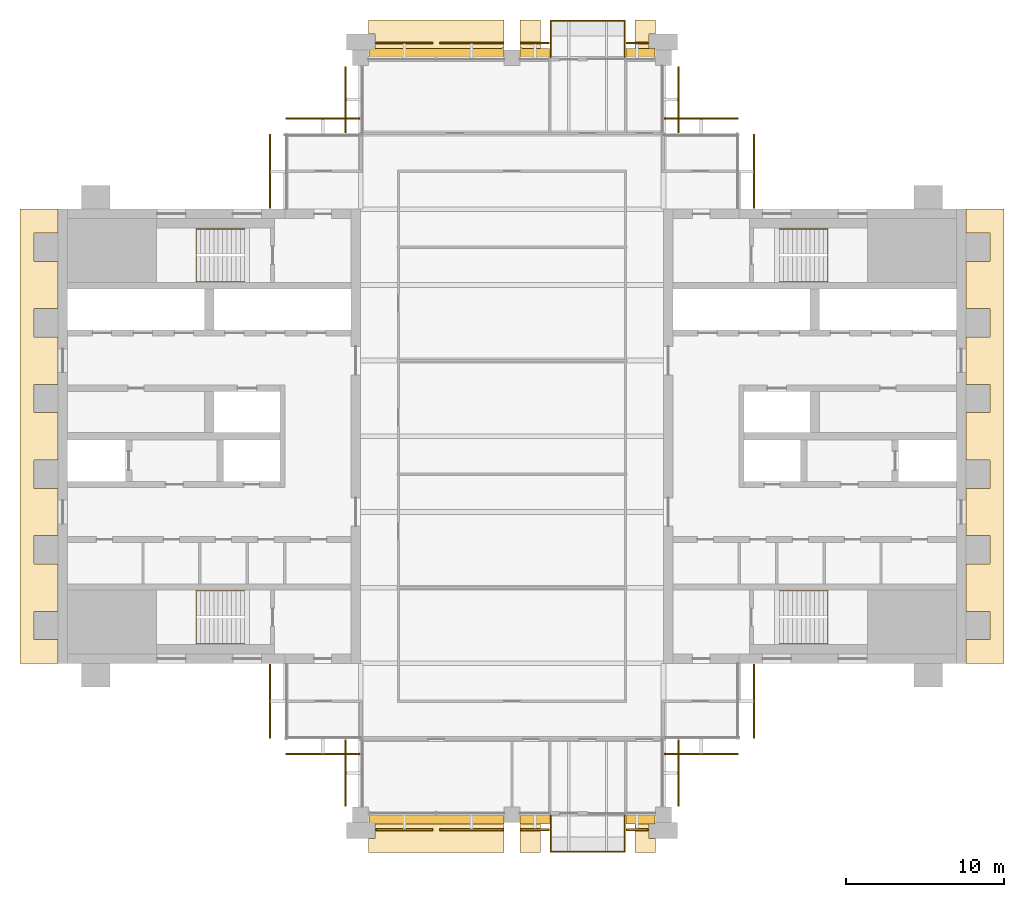
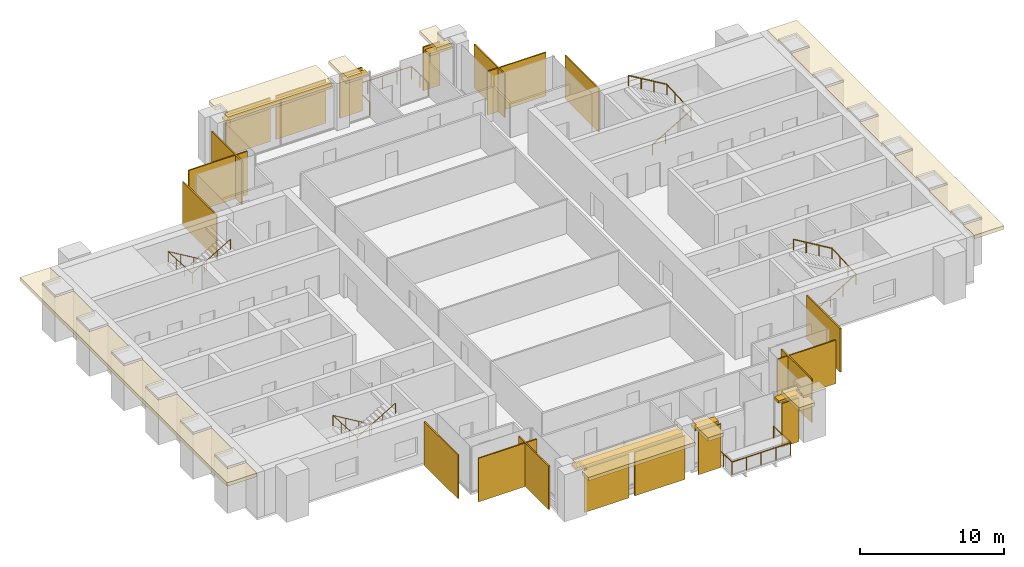
# One storey, part 13 of 13: 28 coverings, 6 railings, 6 shading devices.
"""IFC4 building model written with IfcOpenShell, lengths in metres."""

from ifc_helpers import new_model, si_unit, direction, frame, origin, origin_2d, place, context, subcontext, project, spatial, polyline, rectangle, circle, outline, extrude, material, layer, layer_set, type_object, element, save


model = new_model("IFC4")

# Units and contexts
model_context = context("Model", 3, precision=1e-05, world=origin(), true_north=direction((0.0, 1.0)))
body_context = subcontext(model_context, "Body", "Model", "MODEL_VIEW")
ifc_project = project(units=[si_unit("LENGTHUNIT", "METRE"), si_unit("AREAUNIT", "SQUARE_METRE"), si_unit("VOLUMEUNIT", "CUBIC_METRE"), si_unit("PLANEANGLEUNIT", "RADIAN"), si_unit("MASSUNIT", "GRAM", prefix="KILO")], contexts=[model_context])

# Site, building, storey
site_placement = place(None, origin())
site = spatial("IfcSite", under=ifc_project, at=site_placement, CompositionType="ELEMENT")
building_placement = place(site_placement, origin())
building = spatial("IfcBuilding", under=site, at=building_placement, Name="Baori Bourse Tower", CompositionType="ELEMENT")
storey_placement = place(building_placement, frame((0.0, 0.0, 326.300048828125)))
storey = spatial("IfcBuildingStorey", under=building, at=storey_placement, Name="L72", CompositionType="ELEMENT", Elevation=326.300048828125)

# Coverings
ifc_material_1 = material(Name="Pale anodised aluminium", Category="aluminium")
covering_type_1 = type_object("IfcCoveringType", Name="BD1 Pale metal band", PredefinedType="CLADDING", material=ifc_material_1)
covering_1_placement = place(storey_placement, frame((0.0, 0.0, 3.5400390625)))
element("IfcCovering", 1, at=covering_1_placement, inside=storey, type_object=covering_type_1, Name="Pale projecting band L72 1", PredefinedType="CLADDING", context=body_context, shape_type="SweptSolid", body=[
    extrude(outline(polyline([(57.60009765625, 11.10009765625), (57.60009765625, 9.60009765625), (60.0, 9.60009765625), (60.0, 38.39990234375), (57.60009765625, 38.39990234375), (57.60009765625, 36.89990234375), (59.10009765625, 36.89990234375), (59.10009765625, 35.10009765625), (57.60009765625, 35.10009765625), (57.60009765625, 32.10009765625), (59.10009765625, 32.10009765625), (59.10009765625, 30.300048828125), (57.60009765625, 30.300048828125), (57.60009765625, 27.300048828125), (59.10009765625, 27.300048828125), (59.10009765625, 25.5), (57.60009765625, 25.5), (57.60009765625, 22.5), (59.10009765625, 22.5), (59.10009765625, 20.699951171875), (57.60009765625, 20.699951171875), (57.60009765625, 17.699951171875), (59.10009765625, 17.699951171875), (59.10009765625, 15.89990234375), (57.60009765625, 15.89990234375), (57.60009765625, 12.89990234375), (59.10009765625, 12.89990234375), (59.10009765625, 11.10009765625), (57.60009765625, 11.10009765625)])), origin(), (0.0, 0.0, 1.0), 0.2998046875),
])
covering_2_placement = place(storey_placement, frame((0.0, 0.0, 3.5400390625)))
element("IfcCovering", 2, at=covering_2_placement, inside=storey, type_object=covering_type_1, Name="Pale projecting band L72 2", PredefinedType="CLADDING", context=body_context, shape_type="SweptSolid", body=[
    extrude(outline(polyline([(36.60009765625, 48.0), (37.780029296875, 48.0), (37.780029296875, 48.5), (37.5, 48.5), (37.5, 49.5), (37.89990234375, 49.5), (37.89990234375, 50.39990234375), (36.60009765625, 50.39990234375), (36.60009765625, 48.0)])), origin(), (0.0, 0.0, 1.0), 0.2998046875),
])
covering_3_placement = place(storey_placement, frame((0.0, 0.0, 3.5400390625)))
element("IfcCovering", 3, at=covering_3_placement, inside=storey, type_object=covering_type_1, Name="Pale projecting band L72 3", PredefinedType="CLADDING", context=body_context, shape_type="SweptSolid", body=[
    extrude(outline(polyline([(29.419921875, 48.0), (30.60009765625, 48.0), (30.60009765625, 50.39990234375), (29.300048828125, 50.39990234375), (29.300048828125, 48.6201171875), (29.419921875, 48.6201171875), (29.419921875, 48.0)])), origin(), (0.0, 0.0, 1.0), 0.2998046875),
])
covering_4_placement = place(storey_placement, frame((0.0, 0.0, 3.5400390625)))
element("IfcCovering", 4, at=covering_4_placement, inside=storey, type_object=covering_type_1, Name="Pale projecting band L72 4", PredefinedType="CLADDING", context=body_context, shape_type="SweptSolid", body=[
    extrude(outline(polyline([(19.820068359375, 48.0), (28.179931640625, 48.0), (28.179931640625, 48.6201171875), (28.300048828125, 48.6201171875), (28.300048828125, 50.39990234375), (19.699951171875, 50.39990234375), (19.699951171875, 49.5), (20.10009765625, 49.5), (20.10009765625, 48.5), (19.820068359375, 48.5), (19.820068359375, 48.0)])), origin(), (0.0, 0.0, 1.0), 0.2998046875),
])
covering_5_placement = place(storey_placement, frame((0.0, 0.0, 3.5400390625)))
element("IfcCovering", 5, at=covering_5_placement, inside=storey, type_object=covering_type_1, Name="Pale projecting band L72 5", PredefinedType="CLADDING", context=body_context, shape_type="SweptSolid", body=[
    extrude(outline(polyline([(0.0, 36.89990234375), (0.0, 38.39990234375), (-2.39990234375, 38.39990234375), (-2.39990234375, 9.60009765625), (0.0, 9.60009765625), (0.0, 11.10009765625), (-1.5, 11.10009765625), (-1.5, 12.89990234375), (0.0, 12.89990234375), (0.0, 15.89990234375), (-1.5, 15.89990234375), (-1.5, 17.699951171875), (0.0, 17.699951171875), (0.0, 20.699951171875), (-1.5, 20.699951171875), (-1.5, 22.5), (0.0, 22.5), (0.0, 25.5), (-1.5, 25.5), (-1.5, 27.300048828125), (0.0, 27.300048828125), (0.0, 30.300048828125), (-1.5, 30.300048828125), (-1.5, 32.10009765625), (0.0, 32.10009765625), (0.0, 35.10009765625), (-1.5, 35.10009765625), (-1.5, 36.89990234375), (0.0, 36.89990234375)])), origin(), (0.0, 0.0, 1.0), 0.2998046875),
])
covering_6_placement = place(storey_placement, frame((0.0, 0.0, 3.5400390625)))
element("IfcCovering", 6, at=covering_6_placement, inside=storey, type_object=covering_type_1, Name="Pale projecting band L72 6", PredefinedType="CLADDING", context=body_context, shape_type="SweptSolid", body=[
    extrude(outline(polyline([(28.179931640625, 0.0), (19.820068359375, 0.0), (19.820068359375, -0.5), (20.10009765625, -0.5), (20.10009765625, -1.5), (19.699951171875, -1.5), (19.699951171875, -2.39990234375), (28.300048828125, -2.39990234375), (28.300048828125, -0.6201171875), (28.179931640625, -0.6201171875), (28.179931640625, 0.0)])), origin(), (0.0, 0.0, 1.0), 0.2998046875),
])
covering_7_placement = place(storey_placement, frame((0.0, 0.0, 3.5400390625)))
element("IfcCovering", 7, at=covering_7_placement, inside=storey, type_object=covering_type_1, Name="Pale projecting band L72 7", PredefinedType="CLADDING", context=body_context, shape_type="SweptSolid", body=[
    extrude(outline(polyline([(30.60009765625, 0.0), (29.419921875, 0.0), (29.419921875, -0.6201171875), (29.300048828125, -0.6201171875), (29.300048828125, -2.39990234375), (30.60009765625, -2.39990234375), (30.60009765625, 0.0)])), origin(), (0.0, 0.0, 1.0), 0.2998046875),
])
covering_8_placement = place(storey_placement, frame((0.0, 0.0, 3.5400390625)))
element("IfcCovering", 8, at=covering_8_placement, inside=storey, type_object=covering_type_1, Name="Pale projecting band L72 8", PredefinedType="CLADDING", context=body_context, shape_type="SweptSolid", body=[
    extrude(outline(polyline([(37.780029296875, 0.0), (36.60009765625, 0.0), (36.60009765625, -2.39990234375), (37.89990234375, -2.39990234375), (37.89990234375, -1.5), (37.5, -1.5), (37.5, -0.5), (37.780029296875, -0.5), (37.780029296875, 0.0)])), origin(), (0.0, 0.0, 1.0), 0.2998046875),
])

# Shading devices
ifc_material_2 = material(Name="Concrete f'c 40 MPa", Category="concrete")
ifc_layer_1 = layer(ifc_material_2, 0.199951171875)
ifc_layer_set_1 = layer_set([ifc_layer_1], Name="BS1 Brise-soleil ledge")
shading_device_type = type_object("IfcShadingDeviceType", Name="BS1 Brise-soleil ledge", PredefinedType="USERDEFINED", material=ifc_layer_set_1)
for number, where, z_axis, x_axis, name in (
    (9, (36.949951171875, 48.300048828125, 3.33984375), (0.0, 0.0, 1.0), (-1.0, 0.0, 0.0), "Brise-soleil ledge L72 1"),
    (10, (30.25, 48.300048828125, 3.33984375), (0.0, 0.0, 1.0), (-1.0, 0.0, 0.0), "Brise-soleil ledge L72 2"),
):
    element("IfcShadingDevice", number, at=place(storey_placement, frame(where, z_axis=z_axis, x_axis=x_axis)), inside=storey, type_object=shading_device_type, Name=name, ObjectType="BRISE SOLEIL", PredefinedType="USERDEFINED", context=body_context, shape_type="SweptSolid", body=[
        extrude(rectangle(XDim=1.860107421875, YDim=0.60009765625, at=origin_2d()), origin(), (0.0, 0.0, 1.0), 0.199951171875),
    ])
for number, where, z_axis, x_axis, name in (
    (11, (24.0, 48.300048828125, 3.33984375), (0.0, 0.0, 1.0), (-1.0, 0.0, 0.0), "Brise-soleil ledge L72 3"),
    (12, (24.0, -0.300048828125, 3.33984375), (0.0, 0.0, 1.0), (1.0, 0.0, 0.0), "Brise-soleil ledge L72 4"),
):
    element("IfcShadingDevice", number, at=place(storey_placement, frame(where, z_axis=z_axis, x_axis=x_axis)), inside=storey, type_object=shading_device_type, Name=name, ObjectType="BRISE SOLEIL", PredefinedType="USERDEFINED", context=body_context, shape_type="SweptSolid", body=[
        extrude(rectangle(XDim=8.56005859375, YDim=0.60009765625, at=origin_2d()), origin(), (0.0, 0.0, 1.0), 0.199951171875),
    ])
for number, where, z_axis, x_axis, name in (
    (13, (30.25, -0.300048828125, 3.33984375), (0.0, 0.0, 1.0), (1.0, 0.0, 0.0), "Brise-soleil ledge L72 5"),
    (14, (36.949951171875, -0.300048828125, 3.33984375), (0.0, 0.0, 1.0), (1.0, 0.0, 0.0), "Brise-soleil ledge L72 6"),
):
    element("IfcShadingDevice", number, at=place(storey_placement, frame(where, z_axis=z_axis, x_axis=x_axis)), inside=storey, type_object=shading_device_type, Name=name, ObjectType="BRISE SOLEIL", PredefinedType="USERDEFINED", context=body_context, shape_type="SweptSolid", body=[
        extrude(rectangle(XDim=1.860107421875, YDim=0.60009765625, at=origin_2d()), origin(), (0.0, 0.0, 1.0), 0.199951171875),
    ])

# Railings
ifc_material_3 = material(Name="Powder-coated steel balustrade", Category="steel")
railing_type_1 = type_object("IfcRailingType", Name="Core stair handrail", PredefinedType="HANDRAIL", material=ifc_material_3)
railing_1_placement = place(storey_placement, frame((11.85009765625, 14.199951171875, 0.16650390625)))
element("IfcRailing", 15, at=railing_1_placement, inside=storey, type_object=railing_type_1, Name="L72 ST1 stair handrail 1", PredefinedType="HANDRAIL", context=body_context, shape_type="SweptSolid", body=[
    extrude(circle(Radius=0.02392578125, at=origin_2d()), frame((0.0, 0.0, 0.8759765625), z_axis=(-0.85927862911, 0.0, 0.511507807912), x_axis=(0.0, -1.0, 0.0)), (0.0, 0.0, 1.0), 3.58447265625),
    extrude(circle(Radius=0.02392578125, at=origin_2d()), frame((-3.080078125, 0.0, 2.70947265625), z_axis=(0.0, -0.998766999029, 0.049643545903), x_axis=(1.0, 0.0, 0.0)), (0.0, 0.0, 1.0), 3.35400390625),
    extrude(circle(Radius=0.02392578125, at=origin_2d()), frame((-3.080078125, -3.349853515625, 2.8759765625), z_axis=(0.85927862911, 0.0, 0.511507807912), x_axis=(0.0, 1.0, 0.0)), (0.0, 0.0, 1.0), 3.58447265625),
    extrude(circle(Radius=0.02099609375, at=origin_2d()), origin(), (0.0, 0.0, 1.0), 0.851806640625),
    extrude(circle(Radius=0.02099609375, at=origin_2d()), frame((-1.026611328125, 0.0, 0.611083984375)), (0.0, 0.0, 1.0), 0.851806640625),
    extrude(circle(Radius=0.02099609375, at=origin_2d()), frame((-2.053466796875, 0.0, 1.222412109375)), (0.0, 0.0, 1.0), 0.851806640625),
    extrude(circle(Radius=0.02099609375, at=origin_2d()), frame((-3.080078125, 0.0, 1.83349609375)), (0.0, 0.0, 1.0), 0.851806640625),
    extrude(circle(Radius=0.02099609375, at=origin_2d()), frame((-3.080078125, -1.11669921875, 1.888916015625)), (0.0, 0.0, 1.0), 0.851806640625),
    extrude(circle(Radius=0.02099609375, at=origin_2d()), frame((-3.080078125, -2.233154296875, 1.944580078125)), (0.0, 0.0, 1.0), 0.851806640625),
    extrude(circle(Radius=0.02099609375, at=origin_2d()), frame((-3.080078125, -3.349853515625, 2.0)), (0.0, 0.0, 1.0), 0.851806640625),
    extrude(circle(Radius=0.02099609375, at=origin_2d()), frame((-2.053466796875, -3.349853515625, 2.611083984375)), (0.0, 0.0, 1.0), 0.851806640625),
    extrude(circle(Radius=0.02099609375, at=origin_2d()), frame((-1.026611328125, -3.349853515625, 3.222412109375)), (0.0, 0.0, 1.0), 0.851806640625),
    extrude(circle(Radius=0.02099609375, at=origin_2d()), frame((0.0, -3.349853515625, 3.83349609375)), (0.0, 0.0, 1.0), 0.851806640625),
])
railing_2_placement = place(storey_placement, frame((11.85009765625, 37.14990234375, 0.16650390625)))
element("IfcRailing", 16, at=railing_2_placement, inside=storey, type_object=railing_type_1, Name="L72 ST2 stair handrail 1", PredefinedType="HANDRAIL", context=body_context, shape_type="SweptSolid", body=[
    extrude(circle(Radius=0.02392578125, at=origin_2d()), frame((0.0, 0.0, 0.8759765625), z_axis=(-0.85927862911, 0.0, 0.511507807912), x_axis=(0.0, -1.0, 0.0)), (0.0, 0.0, 1.0), 3.58447265625),
    extrude(circle(Radius=0.02392578125, at=origin_2d()), frame((-3.080078125, 0.0, 2.70947265625), z_axis=(0.0, -0.998766999029, 0.049643545903), x_axis=(1.0, 0.0, 0.0)), (0.0, 0.0, 1.0), 3.35400390625),
    extrude(circle(Radius=0.02392578125, at=origin_2d()), frame((-3.080078125, -3.349853515625, 2.8759765625), z_axis=(0.85927862911, 0.0, 0.511507807912), x_axis=(0.0, 1.0, 0.0)), (0.0, 0.0, 1.0), 3.58447265625),
    extrude(circle(Radius=0.02099609375, at=origin_2d()), origin(), (0.0, 0.0, 1.0), 0.851806640625),
    extrude(circle(Radius=0.02099609375, at=origin_2d()), frame((-1.026611328125, 0.0, 0.611083984375)), (0.0, 0.0, 1.0), 0.851806640625),
    extrude(circle(Radius=0.02099609375, at=origin_2d()), frame((-2.053466796875, 0.0, 1.222412109375)), (0.0, 0.0, 1.0), 0.851806640625),
    extrude(circle(Radius=0.02099609375, at=origin_2d()), frame((-3.080078125, 0.0, 1.83349609375)), (0.0, 0.0, 1.0), 0.851806640625),
    extrude(circle(Radius=0.02099609375, at=origin_2d()), frame((-3.080078125, -1.11669921875, 1.888916015625)), (0.0, 0.0, 1.0), 0.851806640625),
    extrude(circle(Radius=0.02099609375, at=origin_2d()), frame((-3.080078125, -2.233154296875, 1.944580078125)), (0.0, 0.0, 1.0), 0.851806640625),
    extrude(circle(Radius=0.02099609375, at=origin_2d()), frame((-3.080078125, -3.349853515625, 2.0)), (0.0, 0.0, 1.0), 0.851806640625),
    extrude(circle(Radius=0.02099609375, at=origin_2d()), frame((-2.053466796875, -3.349853515625, 2.611083984375)), (0.0, 0.0, 1.0), 0.851806640625),
    extrude(circle(Radius=0.02099609375, at=origin_2d()), frame((-1.026611328125, -3.349853515625, 3.222412109375)), (0.0, 0.0, 1.0), 0.851806640625),
    extrude(circle(Radius=0.02099609375, at=origin_2d()), frame((0.0, -3.349853515625, 3.83349609375)), (0.0, 0.0, 1.0), 0.851806640625),
])
railing_3_placement = place(storey_placement, frame((45.75, 10.85009765625, 0.16650390625)))
element("IfcRailing", 17, at=railing_3_placement, inside=storey, type_object=railing_type_1, Name="L72 ST3 stair handrail 1", PredefinedType="HANDRAIL", context=body_context, shape_type="SweptSolid", body=[
    extrude(circle(Radius=0.02392578125, at=origin_2d()), frame((0.0, 0.0, 0.8759765625), z_axis=(0.85927862911, 0.0, 0.511507807912), x_axis=(0.0, 1.0, 0.0)), (0.0, 0.0, 1.0), 3.58447265625),
    extrude(circle(Radius=0.02392578125, at=origin_2d()), frame((3.080078125, 0.0, 2.70947265625), z_axis=(0.0, 0.998766999029, 0.049643545903), x_axis=(-1.0, 0.0, 0.0)), (0.0, 0.0, 1.0), 3.35400390625),
    extrude(circle(Radius=0.02392578125, at=origin_2d()), frame((3.080078125, 3.349853515625, 2.8759765625), z_axis=(-0.85927862911, 0.0, 0.511507807912), x_axis=(0.0, -1.0, 0.0)), (0.0, 0.0, 1.0), 3.58447265625),
    extrude(circle(Radius=0.02099609375, at=origin_2d()), origin(), (0.0, 0.0, 1.0), 0.851806640625),
    extrude(circle(Radius=0.02099609375, at=origin_2d()), frame((1.026611328125, 0.0, 0.611083984375)), (0.0, 0.0, 1.0), 0.851806640625),
    extrude(circle(Radius=0.02099609375, at=origin_2d()), frame((2.053466796875, 0.0, 1.222412109375)), (0.0, 0.0, 1.0), 0.851806640625),
    extrude(circle(Radius=0.02099609375, at=origin_2d()), frame((3.080078125, 0.0, 1.83349609375)), (0.0, 0.0, 1.0), 0.851806640625),
    extrude(circle(Radius=0.02099609375, at=origin_2d()), frame((3.080078125, 1.11669921875, 1.888916015625)), (0.0, 0.0, 1.0), 0.851806640625),
    extrude(circle(Radius=0.02099609375, at=origin_2d()), frame((3.080078125, 2.233154296875, 1.944580078125)), (0.0, 0.0, 1.0), 0.851806640625),
    extrude(circle(Radius=0.02099609375, at=origin_2d()), frame((3.080078125, 3.349853515625, 2.0)), (0.0, 0.0, 1.0), 0.851806640625),
    extrude(circle(Radius=0.02099609375, at=origin_2d()), frame((2.053466796875, 3.349853515625, 2.611083984375)), (0.0, 0.0, 1.0), 0.851806640625),
    extrude(circle(Radius=0.02099609375, at=origin_2d()), frame((1.026611328125, 3.349853515625, 3.222412109375)), (0.0, 0.0, 1.0), 0.851806640625),
    extrude(circle(Radius=0.02099609375, at=origin_2d()), frame((0.0, 3.349853515625, 3.83349609375)), (0.0, 0.0, 1.0), 0.851806640625),
])
railing_4_placement = place(storey_placement, frame((45.75, 33.800048828125, 0.16650390625)))
element("IfcRailing", 18, at=railing_4_placement, inside=storey, type_object=railing_type_1, Name="L72 ST4 stair handrail 1", PredefinedType="HANDRAIL", context=body_context, shape_type="SweptSolid", body=[
    extrude(circle(Radius=0.02392578125, at=origin_2d()), frame((0.0, 0.0, 0.8759765625), z_axis=(0.85927862911, 0.0, 0.511507807912), x_axis=(0.0, 1.0, 0.0)), (0.0, 0.0, 1.0), 3.58447265625),
    extrude(circle(Radius=0.02392578125, at=origin_2d()), frame((3.080078125, 0.0, 2.70947265625), z_axis=(0.0, 0.998766999029, 0.049643545903), x_axis=(-1.0, 0.0, 0.0)), (0.0, 0.0, 1.0), 3.35400390625),
    extrude(circle(Radius=0.02392578125, at=origin_2d()), frame((3.080078125, 3.349853515625, 2.8759765625), z_axis=(-0.85927862911, 0.0, 0.511507807912), x_axis=(0.0, -1.0, 0.0)), (0.0, 0.0, 1.0), 3.58447265625),
    extrude(circle(Radius=0.02099609375, at=origin_2d()), origin(), (0.0, 0.0, 1.0), 0.851806640625),
    extrude(circle(Radius=0.02099609375, at=origin_2d()), frame((1.026611328125, 0.0, 0.611083984375)), (0.0, 0.0, 1.0), 0.851806640625),
    extrude(circle(Radius=0.02099609375, at=origin_2d()), frame((2.053466796875, 0.0, 1.222412109375)), (0.0, 0.0, 1.0), 0.851806640625),
    extrude(circle(Radius=0.02099609375, at=origin_2d()), frame((3.080078125, 0.0, 1.83349609375)), (0.0, 0.0, 1.0), 0.851806640625),
    extrude(circle(Radius=0.02099609375, at=origin_2d()), frame((3.080078125, 1.11669921875, 1.888916015625)), (0.0, 0.0, 1.0), 0.851806640625),
    extrude(circle(Radius=0.02099609375, at=origin_2d()), frame((3.080078125, 2.233154296875, 1.944580078125)), (0.0, 0.0, 1.0), 0.851806640625),
    extrude(circle(Radius=0.02099609375, at=origin_2d()), frame((3.080078125, 3.349853515625, 2.0)), (0.0, 0.0, 1.0), 0.851806640625),
    extrude(circle(Radius=0.02099609375, at=origin_2d()), frame((2.053466796875, 3.349853515625, 2.611083984375)), (0.0, 0.0, 1.0), 0.851806640625),
    extrude(circle(Radius=0.02099609375, at=origin_2d()), frame((1.026611328125, 3.349853515625, 3.222412109375)), (0.0, 0.0, 1.0), 0.851806640625),
    extrude(circle(Radius=0.02099609375, at=origin_2d()), frame((0.0, 3.349853515625, 3.83349609375)), (0.0, 0.0, 1.0), 0.851806640625),
])
ifc_material_4 = material(Name="Stainless steel", Category="steel")
railing_type_2 = type_object("IfcRailingType", Name="GD1 Guard", PredefinedType="GUARDRAIL", material=ifc_material_4)
railing_5_placement = place(storey_placement, frame((31.25, -0.030029296875, 0.0)))
element("IfcRailing", 19, at=railing_5_placement, inside=storey, type_object=railing_type_2, Name="Guard balcony S L72 1", PredefinedType="GUARDRAIL", context=body_context, shape_type="SweptSolid", body=[
    extrude(circle(Radius=0.02392578125, at=origin_2d()), frame((0.0, 0.0, 1.076171875), z_axis=(0.0, -1.0, 0.0), x_axis=(1.0, 0.0, 0.0)), (0.0, 0.0, 1.0), 2.320068359375),
    extrude(circle(Radius=0.02392578125, at=origin_2d()), frame((0.0, -2.320068359375, 1.076171875), z_axis=(1.0, 0.0, 0.0), x_axis=(0.0, 1.0, 0.0)), (0.0, 0.0, 1.0), 4.699951171875),
    extrude(circle(Radius=0.02392578125, at=origin_2d()), frame((4.699951171875, -2.320068359375, 1.076171875), z_axis=(0.0, 1.0, 0.0), x_axis=(-1.0, 0.0, 0.0)), (0.0, 0.0, 1.0), 2.320068359375),
    extrude(circle(Radius=0.02099609375, at=origin_2d()), origin(), (0.0, 0.0, 1.0), 1.052001953125),
    extrude(circle(Radius=0.02099609375, at=origin_2d()), frame((0.0, -1.16015625, 0.0)), (0.0, 0.0, 1.0), 1.052001953125),
    extrude(circle(Radius=0.02099609375, at=origin_2d()), frame((0.0, -2.320068359375, 0.0)), (0.0, 0.0, 1.0), 1.052001953125),
    extrude(circle(Radius=0.02099609375, at=origin_2d()), frame((1.175048828125, -2.320068359375, 0.0)), (0.0, 0.0, 1.0), 1.052001953125),
    extrude(circle(Radius=0.02099609375, at=origin_2d()), frame((2.35009765625, -2.320068359375, 0.0)), (0.0, 0.0, 1.0), 1.052001953125),
    extrude(circle(Radius=0.02099609375, at=origin_2d()), frame((3.52490234375, -2.320068359375, 0.0)), (0.0, 0.0, 1.0), 1.052001953125),
    extrude(circle(Radius=0.02099609375, at=origin_2d()), frame((4.699951171875, -2.320068359375, 0.0)), (0.0, 0.0, 1.0), 1.052001953125),
    extrude(circle(Radius=0.02099609375, at=origin_2d()), frame((4.699951171875, -1.16015625, 0.0)), (0.0, 0.0, 1.0), 1.052001953125),
    extrude(circle(Radius=0.02099609375, at=origin_2d()), frame((4.699951171875, 0.0, 0.0)), (0.0, 0.0, 1.0), 1.052001953125),
])
railing_6_placement = place(storey_placement, frame((31.25, 48.030029296875, 0.0)))
element("IfcRailing", 20, at=railing_6_placement, inside=storey, type_object=railing_type_2, Name="Guard balcony N L72 2", PredefinedType="GUARDRAIL", context=body_context, shape_type="SweptSolid", body=[
    extrude(circle(Radius=0.02392578125, at=origin_2d()), frame((0.0, 0.0, 1.076171875), z_axis=(0.0, 1.0, 0.0), x_axis=(-1.0, 0.0, 0.0)), (0.0, 0.0, 1.0), 2.320068359375),
    extrude(circle(Radius=0.02392578125, at=origin_2d()), frame((0.0, 2.320068359375, 1.076171875), z_axis=(1.0, 0.0, 0.0), x_axis=(0.0, 1.0, 0.0)), (0.0, 0.0, 1.0), 4.699951171875),
    extrude(circle(Radius=0.02392578125, at=origin_2d()), frame((4.699951171875, 2.320068359375, 1.076171875), z_axis=(0.0, -1.0, 0.0), x_axis=(1.0, 0.0, 0.0)), (0.0, 0.0, 1.0), 2.320068359375),
    extrude(circle(Radius=0.02099609375, at=origin_2d()), origin(), (0.0, 0.0, 1.0), 1.052001953125),
    extrude(circle(Radius=0.02099609375, at=origin_2d()), frame((0.0, 1.16015625, 0.0)), (0.0, 0.0, 1.0), 1.052001953125),
    extrude(circle(Radius=0.02099609375, at=origin_2d()), frame((0.0, 2.320068359375, 0.0)), (0.0, 0.0, 1.0), 1.052001953125),
    extrude(circle(Radius=0.02099609375, at=origin_2d()), frame((1.175048828125, 2.320068359375, 0.0)), (0.0, 0.0, 1.0), 1.052001953125),
    extrude(circle(Radius=0.02099609375, at=origin_2d()), frame((2.35009765625, 2.320068359375, 0.0)), (0.0, 0.0, 1.0), 1.052001953125),
    extrude(circle(Radius=0.02099609375, at=origin_2d()), frame((3.52490234375, 2.320068359375, 0.0)), (0.0, 0.0, 1.0), 1.052001953125),
    extrude(circle(Radius=0.02099609375, at=origin_2d()), frame((4.699951171875, 2.320068359375, 0.0)), (0.0, 0.0, 1.0), 1.052001953125),
    extrude(circle(Radius=0.02099609375, at=origin_2d()), frame((4.699951171875, 1.16015625, 0.0)), (0.0, 0.0, 1.0), 1.052001953125),
    extrude(circle(Radius=0.02099609375, at=origin_2d()), frame((4.699951171875, 0.0, 0.0)), (0.0, 0.0, 1.0), 1.052001953125),
])

# Coverings
ifc_material_5 = material(Name="Pale anodised aluminium", Category="aluminium")
ifc_layer_2 = layer(ifc_material_5, 0.10009765625)
ifc_layer_set_2 = layer_set([ifc_layer_2], Name="OS3 Outer skin screen panel")
covering_type_2 = type_object("IfcCoveringType", Name="OS3 Outer skin screen panel", PredefinedType="CLADDING", material=ifc_layer_set_2)
covering_9_placement = place(storey_placement, frame((0.0, 0.0, -0.16015625)))
element("IfcCovering", 21, at=covering_9_placement, inside=storey, type_object=covering_type_2, Name="Outer skin screen L72 1", PredefinedType="CLADDING", context=body_context, shape_type="SweptSolid", body=[
    extrude(outline(polyline([(44.10009765625, 43.14990234375), (44.10009765625, 38.449951171875), (44.199951171875, 38.449951171875), (44.199951171875, 43.14990234375), (44.10009765625, 43.14990234375)])), origin(), (0.0, 0.0, 1.0), 3.7001953125),
])
covering_10_placement = place(storey_placement, frame((0.0, 0.0, -0.16015625)))
element("IfcCovering", 22, at=covering_10_placement, inside=storey, type_object=covering_type_2, Name="Outer skin screen L72 2", PredefinedType="CLADDING", context=body_context, shape_type="SweptSolid", body=[
    extrude(outline(polyline([(38.449951171875, 44.10009765625), (43.14990234375, 44.10009765625), (43.14990234375, 44.199951171875), (38.449951171875, 44.199951171875), (38.449951171875, 44.10009765625)])), origin(), (0.0, 0.0, 1.0), 3.7001953125),
])
covering_11_placement = place(storey_placement, frame((0.0, 0.0, -0.16015625)))
element("IfcCovering", 23, at=covering_11_placement, inside=storey, type_object=covering_type_2, Name="Outer skin screen L72 3", PredefinedType="CLADDING", context=body_context, shape_type="SweptSolid", body=[
    extrude(outline(polyline([(39.300048828125, 47.449951171875), (39.300048828125, 43.25), (39.39990234375, 43.25), (39.39990234375, 47.449951171875), (39.300048828125, 47.449951171875)])), origin(), (0.0, 0.0, 1.0), 3.7001953125),
])
covering_12_placement = place(storey_placement, frame((0.0, 0.0, -0.16015625)))
element("IfcCovering", 24, at=covering_12_placement, inside=storey, type_object=covering_type_2, Name="Outer skin screen L72 4", PredefinedType="CLADDING", context=body_context, shape_type="SweptSolid", body=[
    extrude(outline(polyline([(36.050048828125, 48.89990234375), (37.39990234375, 48.89990234375), (37.39990234375, 49.0), (36.050048828125, 49.0), (36.050048828125, 48.89990234375)])), origin(), (0.0, 0.0, 1.0), 3.7001953125),
])
covering_13_placement = place(storey_placement, frame((0.0, 0.0, -0.16015625)))
element("IfcCovering", 25, at=covering_13_placement, inside=storey, type_object=covering_type_2, Name="Outer skin screen L72 5", PredefinedType="CLADDING", context=body_context, shape_type="SweptSolid", body=[
    extrude(outline(polyline([(29.35009765625, 48.89990234375), (31.14990234375, 48.89990234375), (31.14990234375, 49.0), (29.35009765625, 49.0), (29.35009765625, 48.89990234375)])), origin(), (0.0, 0.0, 1.0), 3.7001953125),
])
covering_14_placement = place(storey_placement, frame((0.0, 0.0, -0.16015625)))
element("IfcCovering", 26, at=covering_14_placement, inside=storey, type_object=covering_type_2, Name="Outer skin screen L72 6", PredefinedType="CLADDING", context=body_context, shape_type="SweptSolid", body=[
    extrude(outline(polyline([(24.22509765625, 48.89990234375), (28.25, 48.89990234375), (28.25, 49.0), (24.22509765625, 49.0), (24.22509765625, 48.89990234375)])), origin(), (0.0, 0.0, 1.0), 3.7001953125),
])
covering_15_placement = place(storey_placement, frame((0.0, 0.0, -0.16015625)))
element("IfcCovering", 27, at=covering_15_placement, inside=storey, type_object=covering_type_2, Name="Outer skin screen L72 7", PredefinedType="CLADDING", context=body_context, shape_type="SweptSolid", body=[
    extrude(outline(polyline([(20.199951171875, 48.89990234375), (23.77490234375, 48.89990234375), (23.77490234375, 49.0), (20.199951171875, 49.0), (20.199951171875, 48.89990234375)])), origin(), (0.0, 0.0, 1.0), 3.7001953125),
])
covering_16_placement = place(storey_placement, frame((0.0, 0.0, -0.16015625)))
element("IfcCovering", 28, at=covering_16_placement, inside=storey, type_object=covering_type_2, Name="Outer skin screen L72 8", PredefinedType="CLADDING", context=body_context, shape_type="SweptSolid", body=[
    extrude(outline(polyline([(18.300048828125, 43.25), (18.300048828125, 47.449951171875), (18.199951171875, 47.449951171875), (18.199951171875, 43.25), (18.300048828125, 43.25)])), origin(), (0.0, 0.0, 1.0), 3.7001953125),
])
covering_17_placement = place(storey_placement, frame((0.0, 0.0, -0.16015625)))
element("IfcCovering", 29, at=covering_17_placement, inside=storey, type_object=covering_type_2, Name="Outer skin screen L72 9", PredefinedType="CLADDING", context=body_context, shape_type="SweptSolid", body=[
    extrude(outline(polyline([(14.449951171875, 44.10009765625), (19.14990234375, 44.10009765625), (19.14990234375, 44.199951171875), (14.449951171875, 44.199951171875), (14.449951171875, 44.10009765625)])), origin(), (0.0, 0.0, 1.0), 3.7001953125),
])
covering_18_placement = place(storey_placement, frame((0.0, 0.0, -0.16015625)))
element("IfcCovering", 30, at=covering_18_placement, inside=storey, type_object=covering_type_2, Name="Outer skin screen L72 10", PredefinedType="CLADDING", context=body_context, shape_type="SweptSolid", body=[
    extrude(outline(polyline([(13.5, 38.449951171875), (13.5, 43.14990234375), (13.39990234375, 43.14990234375), (13.39990234375, 38.449951171875), (13.5, 38.449951171875)])), origin(), (0.0, 0.0, 1.0), 3.7001953125),
])
covering_19_placement = place(storey_placement, frame((0.0, 0.0, -0.16015625)))
element("IfcCovering", 31, at=covering_19_placement, inside=storey, type_object=covering_type_2, Name="Outer skin screen L72 11", PredefinedType="CLADDING", context=body_context, shape_type="SweptSolid", body=[
    extrude(outline(polyline([(13.5, 4.85009765625), (13.5, 9.550048828125), (13.39990234375, 9.550048828125), (13.39990234375, 4.85009765625), (13.5, 4.85009765625)])), origin(), (0.0, 0.0, 1.0), 3.7001953125),
])
covering_20_placement = place(storey_placement, frame((0.0, 0.0, -0.16015625)))
element("IfcCovering", 32, at=covering_20_placement, inside=storey, type_object=covering_type_2, Name="Outer skin screen L72 12", PredefinedType="CLADDING", context=body_context, shape_type="SweptSolid", body=[
    extrude(outline(polyline([(19.14990234375, 3.89990234375), (14.449951171875, 3.89990234375), (14.449951171875, 3.800048828125), (19.14990234375, 3.800048828125), (19.14990234375, 3.89990234375)])), origin(), (0.0, 0.0, 1.0), 3.7001953125),
])
covering_21_placement = place(storey_placement, frame((0.0, 0.0, -0.16015625)))
element("IfcCovering", 33, at=covering_21_placement, inside=storey, type_object=covering_type_2, Name="Outer skin screen L72 13", PredefinedType="CLADDING", context=body_context, shape_type="SweptSolid", body=[
    extrude(outline(polyline([(18.300048828125, 0.550048828125), (18.300048828125, 4.75), (18.199951171875, 4.75), (18.199951171875, 0.550048828125), (18.300048828125, 0.550048828125)])), origin(), (0.0, 0.0, 1.0), 3.7001953125),
])
covering_22_placement = place(storey_placement, frame((0.0, 0.0, -0.16015625)))
element("IfcCovering", 34, at=covering_22_placement, inside=storey, type_object=covering_type_2, Name="Outer skin screen L72 14", PredefinedType="CLADDING", context=body_context, shape_type="SweptSolid", body=[
    extrude(outline(polyline([(23.77490234375, -0.89990234375), (20.199951171875, -0.89990234375), (20.199951171875, -1.0), (23.77490234375, -1.0), (23.77490234375, -0.89990234375)])), origin(), (0.0, 0.0, 1.0), 3.7001953125),
])
covering_23_placement = place(storey_placement, frame((0.0, 0.0, -0.16015625)))
element("IfcCovering", 35, at=covering_23_placement, inside=storey, type_object=covering_type_2, Name="Outer skin screen L72 15", PredefinedType="CLADDING", context=body_context, shape_type="SweptSolid", body=[
    extrude(outline(polyline([(28.25, -0.89990234375), (24.22509765625, -0.89990234375), (24.22509765625, -1.0), (28.25, -1.0), (28.25, -0.89990234375)])), origin(), (0.0, 0.0, 1.0), 3.7001953125),
])
covering_24_placement = place(storey_placement, frame((0.0, 0.0, -0.16015625)))
element("IfcCovering", 36, at=covering_24_placement, inside=storey, type_object=covering_type_2, Name="Outer skin screen L72 16", PredefinedType="CLADDING", context=body_context, shape_type="SweptSolid", body=[
    extrude(outline(polyline([(31.14990234375, -0.89990234375), (29.35009765625, -0.89990234375), (29.35009765625, -1.0), (31.14990234375, -1.0), (31.14990234375, -0.89990234375)])), origin(), (0.0, 0.0, 1.0), 3.7001953125),
])
covering_25_placement = place(storey_placement, frame((0.0, 0.0, -0.16015625)))
element("IfcCovering", 37, at=covering_25_placement, inside=storey, type_object=covering_type_2, Name="Outer skin screen L72 17", PredefinedType="CLADDING", context=body_context, shape_type="SweptSolid", body=[
    extrude(outline(polyline([(37.39990234375, -0.89990234375), (36.050048828125, -0.89990234375), (36.050048828125, -1.0), (37.39990234375, -1.0), (37.39990234375, -0.89990234375)])), origin(), (0.0, 0.0, 1.0), 3.7001953125),
])
covering_26_placement = place(storey_placement, frame((0.0, 0.0, -0.16015625)))
element("IfcCovering", 38, at=covering_26_placement, inside=storey, type_object=covering_type_2, Name="Outer skin screen L72 18", PredefinedType="CLADDING", context=body_context, shape_type="SweptSolid", body=[
    extrude(outline(polyline([(39.300048828125, 4.75), (39.300048828125, 0.550048828125), (39.39990234375, 0.550048828125), (39.39990234375, 4.75), (39.300048828125, 4.75)])), origin(), (0.0, 0.0, 1.0), 3.7001953125),
])
covering_27_placement = place(storey_placement, frame((0.0, 0.0, -0.16015625)))
element("IfcCovering", 39, at=covering_27_placement, inside=storey, type_object=covering_type_2, Name="Outer skin screen L72 19", PredefinedType="CLADDING", context=body_context, shape_type="SweptSolid", body=[
    extrude(outline(polyline([(43.14990234375, 3.89990234375), (38.449951171875, 3.89990234375), (38.449951171875, 3.800048828125), (43.14990234375, 3.800048828125), (43.14990234375, 3.89990234375)])), origin(), (0.0, 0.0, 1.0), 3.7001953125),
])
covering_28_placement = place(storey_placement, frame((0.0, 0.0, -0.16015625)))
element("IfcCovering", 40, at=covering_28_placement, inside=storey, type_object=covering_type_2, Name="Outer skin screen L72 20", PredefinedType="CLADDING", context=body_context, shape_type="SweptSolid", body=[
    extrude(outline(polyline([(44.10009765625, 9.550048828125), (44.10009765625, 4.85009765625), (44.199951171875, 4.85009765625), (44.199951171875, 9.550048828125), (44.10009765625, 9.550048828125)])), origin(), (0.0, 0.0, 1.0), 3.7001953125),
])

save(model, "model.ifc")
